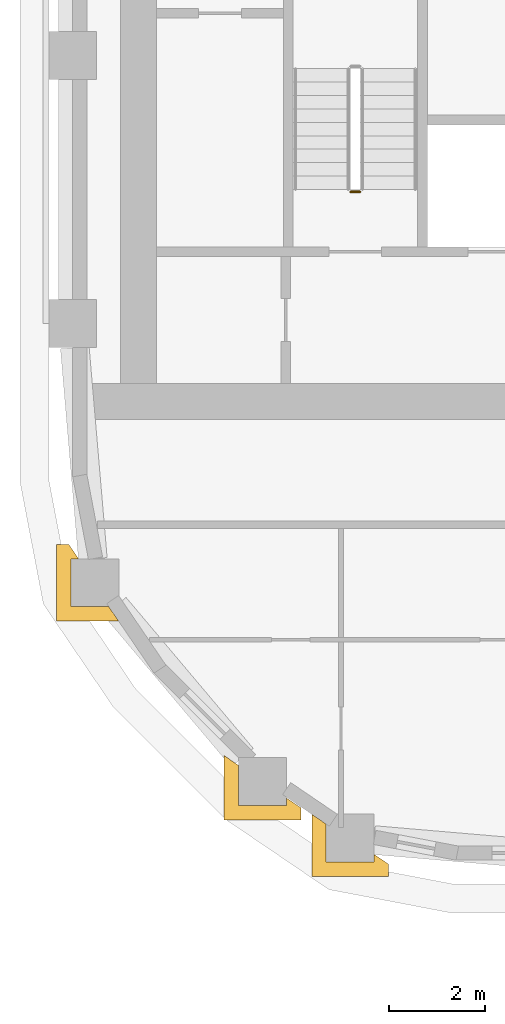
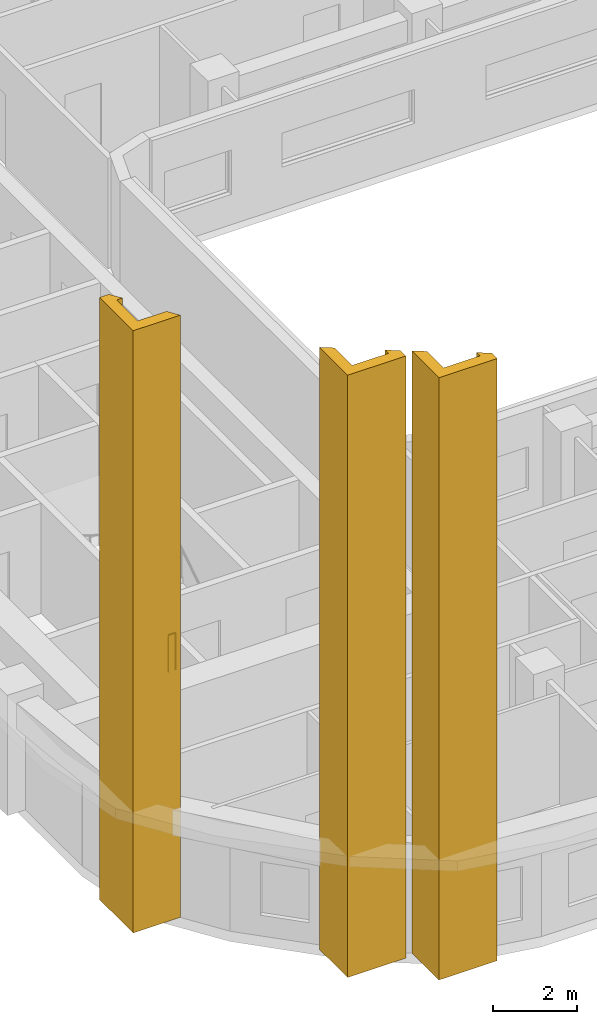
# One storey, part 11 of 22: 3 coverings, 1 railing.
"""IFC4 building model written with IfcOpenShell, lengths in metres."""

from ifc_helpers import new_model, si_unit, direction, frame, origin, origin_2d, place, context, subcontext, project, spatial, polyline, circle, outline, extrude, material, layer, layer_set, type_object, element, save


model = new_model("IFC4")

# Units and contexts
model_context = context("Model", 3, precision=1e-05, world=origin(), true_north=direction((0.0, 1.0)))
body_context = subcontext(model_context, "Body", "Model", "MODEL_VIEW")
ifc_project = project(units=[si_unit("LENGTHUNIT", "METRE"), si_unit("AREAUNIT", "SQUARE_METRE"), si_unit("VOLUMEUNIT", "CUBIC_METRE"), si_unit("PLANEANGLEUNIT", "RADIAN"), si_unit("MASSUNIT", "GRAM", prefix="KILO")], contexts=[model_context])

# Site, building, storey
site_placement = place(None, origin())
site = spatial("IfcSite", under=ifc_project, at=site_placement, CompositionType="ELEMENT")
building_placement = place(site_placement, origin())
building = spatial("IfcBuilding", under=site, at=building_placement, Name="Kiln Ring Residences", CompositionType="ELEMENT")
storey_placement = place(building_placement, frame((0.0, 0.0, 160.60009765625)))
storey = spatial("IfcBuildingStorey", under=building, at=storey_placement, Name="L41", CompositionType="ELEMENT", Elevation=160.60009765625)

# Railing
ifc_material_1 = material(Name="Stainless steel", Category="steel")
railing_type = type_object("IfcRailingType", Name="CORE-STAIR-GUARD", PredefinedType="GUARDRAIL", material=ifc_material_1)
railing_placement = place(storey_placement, frame((-22.0, -8.449951171875, 0.0)))
element("IfcRailing", 1, at=railing_placement, inside=storey, type_object=railing_type, Name="L41 W-STS stair guard 4", PredefinedType="GUARDRAIL", context=body_context, shape_type="SweptSolid", body=[
    extrude(circle(Radius=0.02392578125, at=origin_2d()), frame((0.0, 0.0, 1.076171875), z_axis=(-1.0, 0.0, 0.0), x_axis=(0.0, -1.0, 0.0)), (0.0, 0.0, 1.0), 0.199951171875),
    extrude(circle(Radius=0.02099609375, at=origin_2d()), origin(), (0.0, 0.0, 1.0), 1.052001953125),
    extrude(circle(Radius=0.02099609375, at=origin_2d()), frame((-0.199951171875, 0.0, 0.0)), (0.0, 0.0, 1.0), 1.052001953125),
])

# Coverings
ifc_material_2 = material(Name="Brick masonry, dark clay brick", Category="masonry")
ifc_layer = layer(ifc_material_2, 0.300048828125)
ifc_layer_set = layer_set([ifc_layer], Name="PIER CLADDING 300")
covering_type = type_object("IfcCoveringType", Name="PIER CLADDING 300", PredefinedType="CLADDING", material=ifc_layer_set)
placement = place(storey_placement, origin())
element("IfcCovering", 2, at=placement, inside=storey, type_object=covering_type, Name="PIER CLADDING L41-L45", PredefinedType="CLADDING", context=body_context, shape_type="SweptSolid", body=[
    extrude(outline(polyline([(-22.708740234375, -22.43798828125), (-22.708740234375, -21.646484375), (-23.0087890625, -21.4423828125), (-23.0087890625, -22.738037109375), (-21.40869140625, -22.738037109375), (-21.40869140625, -22.481689453125), (-21.708740234375, -22.27783203125), (-21.708740234375, -22.43798828125), (-22.708740234375, -22.43798828125)])), origin(), (0.0, 0.0, 1.0), 17.5),
])
element("IfcCovering", 3, at=placement, inside=storey, type_object=covering_type, Name="PIER CLADDING L41-L45", PredefinedType="CLADDING", context=body_context, shape_type="SweptSolid", body=[
    extrude(outline(polyline([(-28.081787109375, -15.80859375), (-28.338134765625, -15.80859375), (-28.338134765625, -17.40869140625), (-27.04248046875, -17.40869140625), (-27.246337890625, -17.108642578125), (-28.0380859375, -17.108642578125), (-28.0380859375, -16.108642578125), (-27.8779296875, -16.108642578125), (-28.081787109375, -15.80859375)])), origin(), (0.0, 0.0, 1.0), 17.5),
])
element("IfcCovering", 4, at=placement, inside=storey, type_object=covering_type, Name="PIER CLADDING L41-L45", PredefinedType="CLADDING", context=body_context, shape_type="SweptSolid", body=[
    extrude(outline(polyline([(-24.540283203125, -20.419921875), (-24.840087890625, -20.216064453125), (-24.840087890625, -21.559814453125), (-23.240234375, -21.559814453125), (-23.240234375, -21.303466796875), (-23.540283203125, -21.099609375), (-23.540283203125, -21.259765625), (-24.540283203125, -21.259765625), (-24.540283203125, -20.419921875)])), origin(), (0.0, 0.0, 1.0), 17.5),
])

save(model, "model.ifc")
